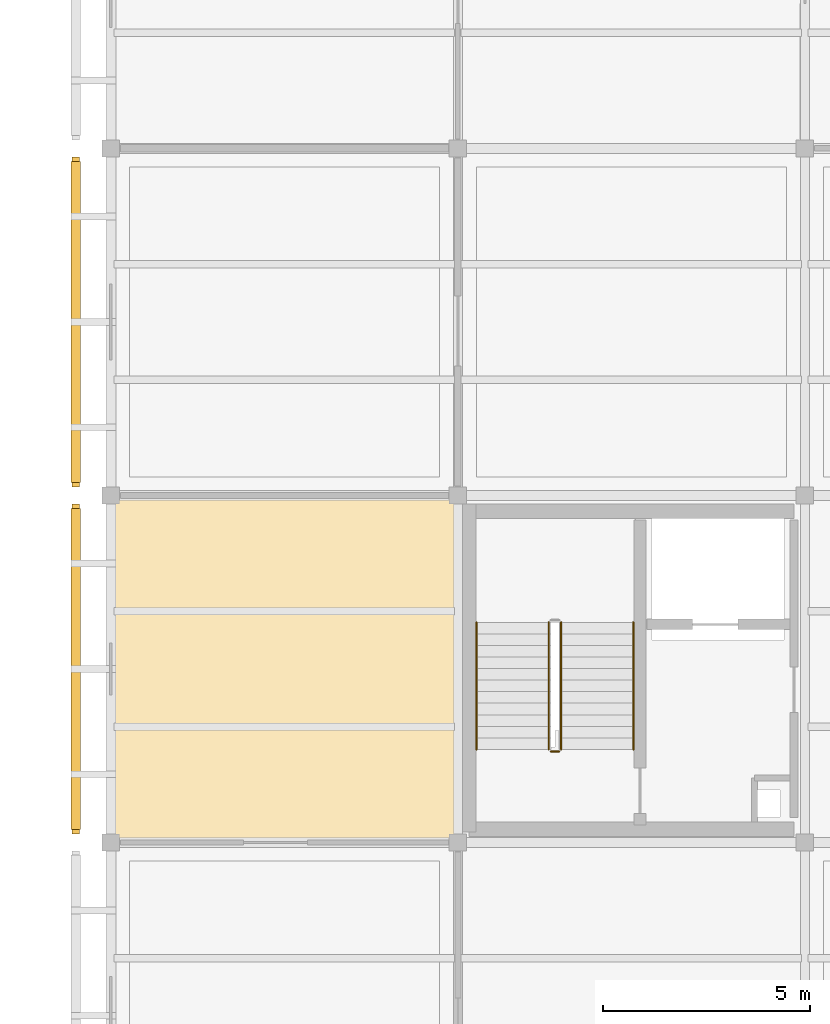
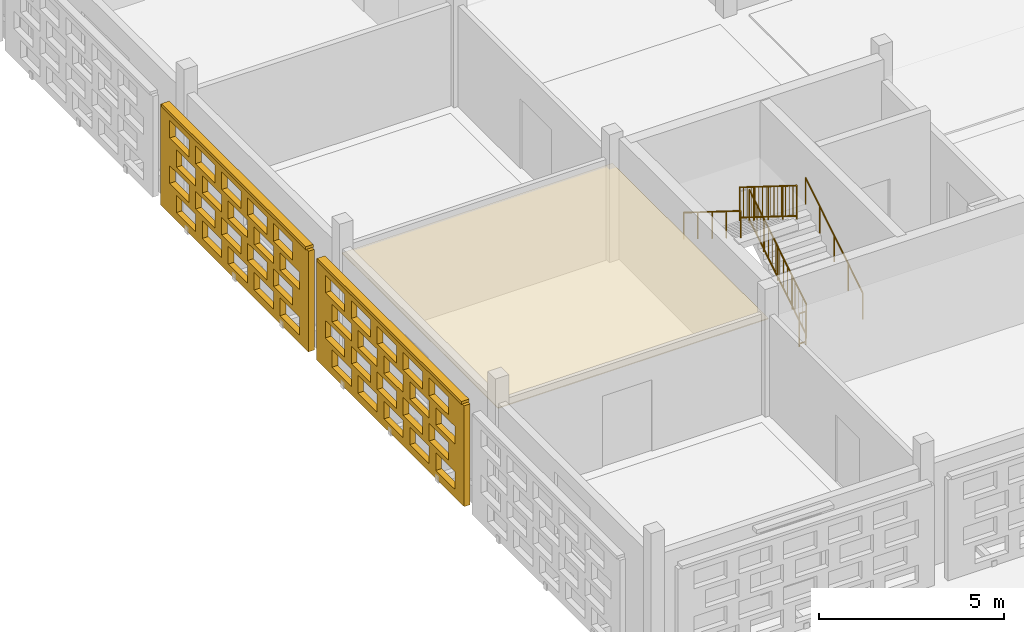
# One storey, part 87 of 103: 5 railings, 3 coverings, 2 shading devices, 40 openings.
"""IFC4 building model written with IfcOpenShell, lengths in metres."""

from ifc_helpers import new_model, si_unit, direction, frame, frame_2d, origin, origin_2d, place, context, subcontext, project, spatial, rectangle, circle, extrude, material, layer, layer_set, type_object, element, save


model = new_model("IFC4")

# Units and contexts
model_context = context("Model", 3, precision=1e-05, world=origin(), true_north=direction((0.0, 1.0)))
body_context = subcontext(model_context, "Body", "Model", "MODEL_VIEW")
ifc_project = project(units=[si_unit("LENGTHUNIT", "METRE"), si_unit("AREAUNIT", "SQUARE_METRE"), si_unit("VOLUMEUNIT", "CUBIC_METRE"), si_unit("PLANEANGLEUNIT", "RADIAN"), si_unit("MASSUNIT", "GRAM", prefix="KILO")], contexts=[model_context])

# Site, building, storey
site_placement = place(None, origin())
site = spatial("IfcSite", under=ifc_project, at=site_placement, CompositionType="ELEMENT")
building_placement = place(site_placement, origin())
building = spatial("IfcBuilding", under=site, at=building_placement, Name="Varnapada Polytechnic", CompositionType="ELEMENT")
storey_placement = place(building_placement, frame((0.0, 0.0, 18.0)))
storey = spatial("IfcBuildingStorey", under=building, at=storey_placement, Name="L04", CompositionType="ELEMENT", Elevation=18.0)

# Railings
ifc_material_1 = material(Name="Brushed Stainless Steel 316", Category="steel")
railing_type_1 = type_object("IfcRailingType", Name="Stair Wall Handrail SHR-01", PredefinedType="HANDRAIL", material=ifc_material_1)
railing_1_placement = place(storey_placement, frame((12.64990234375, 61.050048828125, 0.175048828125)))
element("IfcRailing", 1, at=railing_1_placement, inside=storey, type_object=railing_type_1, Name="L04 ST-2 stair handrail 1", PredefinedType="HANDRAIL", context=body_context, shape_type="SweptSolid", body=[
    extrude(circle(Radius=0.02392578125, at=origin_2d()), frame((0.0, 0.0, 0.8759765625), z_axis=(0.0, 0.847979421464, 0.530029150871), x_axis=(-1.0, 0.0, 0.0)), (0.0, 0.0, 1.0), 3.632080078125),
    extrude(circle(Radius=0.02099609375, at=origin_2d()), origin(), (0.0, 0.0, 1.0), 0.851806640625),
    extrude(circle(Radius=0.02099609375, at=origin_2d()), frame((0.0, 0.77001953125, 0.481201171875)), (0.0, 0.0, 1.0), 0.851806640625),
    extrude(circle(Radius=0.02099609375, at=origin_2d()), frame((0.0, 1.5400390625, 0.96240234375)), (0.0, 0.0, 1.0), 0.851806640625),
    extrude(circle(Radius=0.02099609375, at=origin_2d()), frame((0.0, 2.309814453125, 1.44384765625)), (0.0, 0.0, 1.0), 0.851806640625),
    extrude(circle(Radius=0.02099609375, at=origin_2d()), frame((0.0, 3.079833984375, 1.925048828125)), (0.0, 0.0, 1.0), 0.851806640625),
])
railing_2_placement = place(storey_placement, frame((8.85009765625, 64.1298828125, 2.27490234375)))
element("IfcRailing", 2, at=railing_2_placement, inside=storey, type_object=railing_type_1, Name="L04 ST-2 stair handrail 2", PredefinedType="HANDRAIL", context=body_context, shape_type="SweptSolid", body=[
    extrude(circle(Radius=0.02392578125, at=origin_2d()), frame((0.0, 0.0, 0.8759765625), z_axis=(0.0, -0.847979421464, 0.530029150871), x_axis=(1.0, 0.0, 0.0)), (0.0, 0.0, 1.0), 3.632080078125),
    extrude(circle(Radius=0.02099609375, at=origin_2d()), origin(), (0.0, 0.0, 1.0), 0.851806640625),
    extrude(circle(Radius=0.02099609375, at=origin_2d()), frame((0.0, -0.77001953125, 0.481201171875)), (0.0, 0.0, 1.0), 0.851806640625),
    extrude(circle(Radius=0.02099609375, at=origin_2d()), frame((0.0, -1.5400390625, 0.96240234375)), (0.0, 0.0, 1.0), 0.851806640625),
    extrude(circle(Radius=0.02099609375, at=origin_2d()), frame((0.0, -2.309814453125, 1.44384765625)), (0.0, 0.0, 1.0), 0.851806640625),
    extrude(circle(Radius=0.02099609375, at=origin_2d()), frame((0.0, -3.079833984375, 1.925048828125)), (0.0, 0.0, 1.0), 0.851806640625),
])
railing_type_2 = type_object("IfcRailingType", Name="Stair Well Guard Rail SGR-01", PredefinedType="BALUSTRADE", material=ifc_material_1)
railing_3_placement = place(storey_placement, frame((10.89990234375, 61.050048828125, 0.175048828125)))
element("IfcRailing", 3, at=railing_3_placement, inside=storey, type_object=railing_type_2, Name="L04 ST-2 stair guard 1", PredefinedType="BALUSTRADE", context=body_context, shape_type="SweptSolid", body=[
    extrude(circle(Radius=0.02392578125, at=origin_2d()), frame((0.0, 0.0, 1.09619140625), z_axis=(0.0, 0.847979421464, 0.530029150871), x_axis=(-1.0, 0.0, 0.0)), (0.0, 0.0, 1.0), 3.632080078125),
    extrude(circle(Radius=0.02392578125, at=origin_2d()), frame((0.0, 0.0, 0.10009765625), z_axis=(0.0, 0.847979421464, 0.530029150871), x_axis=(-1.0, 0.0, 0.0)), (0.0, 0.0, 1.0), 3.632080078125),
    extrude(circle(Radius=0.02099609375, at=origin_2d()), origin(), (0.0, 0.0, 1.0), 1.072021484375),
    extrude(circle(Radius=0.02099609375, at=origin_2d()), frame((0.0, 0.77001953125, 0.481201171875)), (0.0, 0.0, 1.0), 1.072021484375),
    extrude(circle(Radius=0.02099609375, at=origin_2d()), frame((0.0, 1.5400390625, 0.96240234375)), (0.0, 0.0, 1.0), 1.072021484375),
    extrude(circle(Radius=0.02099609375, at=origin_2d()), frame((0.0, 2.309814453125, 1.44384765625)), (0.0, 0.0, 1.0), 1.072021484375),
    extrude(circle(Radius=0.02099609375, at=origin_2d()), frame((0.0, 3.079833984375, 1.925048828125)), (0.0, 0.0, 1.0), 1.072021484375),
    extrude(circle(Radius=0.010009765625, at=origin_2d()), frame((0.0, 0.205322265625, 0.228515625)), (0.0, 0.0, 1.0), 0.971923828125),
    extrude(circle(Radius=0.010009765625, at=origin_2d()), frame((0.0, 0.41064453125, 0.356689453125)), (0.0, 0.0, 1.0), 0.971923828125),
    extrude(circle(Radius=0.010009765625, at=origin_2d()), frame((0.0, 0.615966796875, 0.485107421875)), (0.0, 0.0, 1.0), 0.971923828125),
    extrude(circle(Radius=0.010009765625, at=origin_2d()), frame((0.0, 0.8212890625, 0.613525390625)), (0.0, 0.0, 1.0), 0.971923828125),
    extrude(circle(Radius=0.010009765625, at=origin_2d()), frame((0.0, 1.026611328125, 0.74169921875)), (0.0, 0.0, 1.0), 0.971923828125),
    extrude(circle(Radius=0.010009765625, at=origin_2d()), frame((0.0, 1.23193359375, 0.8701171875)), (0.0, 0.0, 1.0), 0.971923828125),
    extrude(circle(Radius=0.010009765625, at=origin_2d()), frame((0.0, 1.437255859375, 0.99853515625)), (0.0, 0.0, 1.0), 0.971923828125),
    extrude(circle(Radius=0.010009765625, at=origin_2d()), frame((0.0, 1.642578125, 1.126708984375)), (0.0, 0.0, 1.0), 0.971923828125),
    extrude(circle(Radius=0.010009765625, at=origin_2d()), frame((0.0, 1.847900390625, 1.255126953125)), (0.0, 0.0, 1.0), 0.971923828125),
    extrude(circle(Radius=0.010009765625, at=origin_2d()), frame((0.0, 2.05322265625, 1.383544921875)), (0.0, 0.0, 1.0), 0.971923828125),
    extrude(circle(Radius=0.010009765625, at=origin_2d()), frame((0.0, 2.258544921875, 1.51171875)), (0.0, 0.0, 1.0), 0.971923828125),
    extrude(circle(Radius=0.010009765625, at=origin_2d()), frame((0.0, 2.4638671875, 1.64013671875)), (0.0, 0.0, 1.0), 0.971923828125),
    extrude(circle(Radius=0.010009765625, at=origin_2d()), frame((0.0, 2.669189453125, 1.7685546875)), (0.0, 0.0, 1.0), 0.971923828125),
    extrude(circle(Radius=0.010009765625, at=origin_2d()), frame((0.0, 2.87451171875, 1.896728515625)), (0.0, 0.0, 1.0), 0.971923828125),
])
railing_4_placement = place(storey_placement, frame((10.60009765625, 64.1298828125, 2.27490234375)))
element("IfcRailing", 4, at=railing_4_placement, inside=storey, type_object=railing_type_2, Name="L04 ST-2 stair guard 3", PredefinedType="BALUSTRADE", context=body_context, shape_type="SweptSolid", body=[
    extrude(circle(Radius=0.02392578125, at=origin_2d()), frame((0.0, 0.0, 1.09619140625), z_axis=(0.0, -0.847979421464, 0.530029150871), x_axis=(1.0, 0.0, 0.0)), (0.0, 0.0, 1.0), 3.632080078125),
    extrude(circle(Radius=0.02392578125, at=origin_2d()), frame((0.0, 0.0, 0.10009765625), z_axis=(0.0, -0.847979421464, 0.530029150871), x_axis=(1.0, 0.0, 0.0)), (0.0, 0.0, 1.0), 3.632080078125),
    extrude(circle(Radius=0.02099609375, at=origin_2d()), origin(), (0.0, 0.0, 1.0), 1.072021484375),
    extrude(circle(Radius=0.02099609375, at=origin_2d()), frame((0.0, -0.77001953125, 0.481201171875)), (0.0, 0.0, 1.0), 1.072021484375),
    extrude(circle(Radius=0.02099609375, at=origin_2d()), frame((0.0, -1.5400390625, 0.96240234375)), (0.0, 0.0, 1.0), 1.072021484375),
    extrude(circle(Radius=0.02099609375, at=origin_2d()), frame((0.0, -2.309814453125, 1.44384765625)), (0.0, 0.0, 1.0), 1.072021484375),
    extrude(circle(Radius=0.02099609375, at=origin_2d()), frame((0.0, -3.079833984375, 1.925048828125)), (0.0, 0.0, 1.0), 1.072021484375),
    extrude(circle(Radius=0.010009765625, at=origin_2d()), frame((0.0, -0.205322265625, 0.228515625)), (0.0, 0.0, 1.0), 0.971923828125),
    extrude(circle(Radius=0.010009765625, at=origin_2d()), frame((0.0, -0.41064453125, 0.356689453125)), (0.0, 0.0, 1.0), 0.971923828125),
    extrude(circle(Radius=0.010009765625, at=origin_2d()), frame((0.0, -0.615966796875, 0.485107421875)), (0.0, 0.0, 1.0), 0.971923828125),
    extrude(circle(Radius=0.010009765625, at=origin_2d()), frame((0.0, -0.8212890625, 0.613525390625)), (0.0, 0.0, 1.0), 0.971923828125),
    extrude(circle(Radius=0.010009765625, at=origin_2d()), frame((0.0, -1.026611328125, 0.74169921875)), (0.0, 0.0, 1.0), 0.971923828125),
    extrude(circle(Radius=0.010009765625, at=origin_2d()), frame((0.0, -1.23193359375, 0.8701171875)), (0.0, 0.0, 1.0), 0.971923828125),
    extrude(circle(Radius=0.010009765625, at=origin_2d()), frame((0.0, -1.437255859375, 0.99853515625)), (0.0, 0.0, 1.0), 0.971923828125),
    extrude(circle(Radius=0.010009765625, at=origin_2d()), frame((0.0, -1.642578125, 1.126708984375)), (0.0, 0.0, 1.0), 0.971923828125),
    extrude(circle(Radius=0.010009765625, at=origin_2d()), frame((0.0, -1.847900390625, 1.255126953125)), (0.0, 0.0, 1.0), 0.971923828125),
    extrude(circle(Radius=0.010009765625, at=origin_2d()), frame((0.0, -2.05322265625, 1.383544921875)), (0.0, 0.0, 1.0), 0.971923828125),
    extrude(circle(Radius=0.010009765625, at=origin_2d()), frame((0.0, -2.258544921875, 1.51171875)), (0.0, 0.0, 1.0), 0.971923828125),
    extrude(circle(Radius=0.010009765625, at=origin_2d()), frame((0.0, -2.4638671875, 1.64013671875)), (0.0, 0.0, 1.0), 0.971923828125),
    extrude(circle(Radius=0.010009765625, at=origin_2d()), frame((0.0, -2.669189453125, 1.7685546875)), (0.0, 0.0, 1.0), 0.971923828125),
    extrude(circle(Radius=0.010009765625, at=origin_2d()), frame((0.0, -2.87451171875, 1.896728515625)), (0.0, 0.0, 1.0), 0.971923828125),
])
railing_5_placement = place(storey_placement, frame((10.85009765625, 61.0, 0.0)))
element("IfcRailing", 5, at=railing_5_placement, inside=storey, type_object=railing_type_2, Name="L04 ST-2 stair guard 4", PredefinedType="BALUSTRADE", context=body_context, shape_type="SweptSolid", body=[
    extrude(circle(Radius=0.02392578125, at=origin_2d()), frame((0.0, 0.0, 1.09619140625), z_axis=(-1.0, 0.0, 0.0), x_axis=(0.0, -1.0, 0.0)), (0.0, 0.0, 1.0), 0.2001953125),
    extrude(circle(Radius=0.02392578125, at=origin_2d()), frame((0.0, 0.0, 0.10009765625), z_axis=(-1.0, 0.0, 0.0), x_axis=(0.0, -1.0, 0.0)), (0.0, 0.0, 1.0), 0.2001953125),
    extrude(circle(Radius=0.02099609375, at=origin_2d()), origin(), (0.0, 0.0, 1.0), 1.072021484375),
    extrude(circle(Radius=0.02099609375, at=origin_2d()), frame((-0.2001953125, 0.0, 0.0)), (0.0, 0.0, 1.0), 1.072021484375),
])

# Covering
ifc_material_2 = material(Name="Moisture-Resistant Aluminum Baffle Ceiling", Category="aluminium")
ifc_layer_1 = layer(ifc_material_2, 0.030029296875)
ifc_layer_set_1 = layer_set([ifc_layer_1], Name="Moisture-Resistant Aluminum Baffle Ceiling")
covering_type_1 = type_object("IfcCoveringType", Name="Suspended Ceiling CLG-03", PredefinedType="CEILING", material=ifc_layer_set_1)
covering_1_placement = place(storey_placement, frame((4.199951171875, 63.0, 3.03515625), z_axis=(0.0, 0.0, 1.0), x_axis=(1.0, 0.0, 0.0)))
element("IfcCovering", 6, at=covering_1_placement, inside=storey, type_object=covering_type_1, Name="L04 suspended acoustic ceiling (1,8)", PredefinedType="CEILING", context=body_context, shape_type="SweptSolid", body=[
    extrude(rectangle(XDim=8.419921875, YDim=8.419921875, at=origin_2d()), origin(), (0.0, 0.0, 1.0), 0.030029296875),
])

# Covering, openings
ifc_material_3 = material(Name="Earth-toned architectural terracotta screen block", Category="masonry")
ifc_layer_2 = layer(ifc_material_3, 0.1201171875)
ifc_layer_set_2 = layer_set([ifc_layer_2], Name="Earth-toned architectural terracotta screen block")
covering_type_2 = type_object("IfcCoveringType", Name="Terracotta Screen Cladding CLD-01", PredefinedType="CLADDING", material=ifc_layer_set_2)
covering_2_placement = place(storey_placement, frame((-0.85009765625, 59.010009765625, 0.0), z_axis=(0.0, 0.0, 1.0), x_axis=(0.0, 1.0, 0.0)))
covering_2 = element("IfcCovering", 7, at=covering_2_placement, inside=storey, type_object=covering_type_2, Name="L04 perforated terracotta block screen (3)", PredefinedType="CLADDING", context=body_context, shape_type="SweptSolid", body=[
    extrude(rectangle(XDim=7.97998046875, YDim=0.179931640625, at=frame_2d((3.989990234375, 0.0))), origin(), (0.0, 0.0, 1.0), 3.320068359375),
])
opening_1_placement = place(covering_2_placement, frame((0.489990234375, 0.0, 0.265625)))
element("IfcOpeningElement", 8, at=opening_1_placement, cuts=covering_2, Name="Screen perforation TBS-L04-002.1", PredefinedType="OPENING", context=body_context, shape_type="SweptSolid", body=[
    extrude(rectangle(XDim=1.0400390625, YDim=0.5810546875, at=frame_2d((0.52001953125, 0.29052734375))), frame((0.0, 0.099853515625, 0.0), z_axis=(0.0, -1.0, 0.0), x_axis=(1.0, 0.0, 0.0)), (0.0, 0.0, 1.0), 0.199951171875),
])
opening_2_placement = place(covering_2_placement, frame((1.889892578125, 0.0, 0.265625)))
element("IfcOpeningElement", 9, at=opening_2_placement, cuts=covering_2, Name="Screen perforation TBS-L04-002.2", PredefinedType="OPENING", context=body_context, shape_type="SweptSolid", body=[
    extrude(rectangle(XDim=1.0400390625, YDim=0.5810546875, at=frame_2d((0.52001953125, 0.29052734375))), frame((0.0, 0.099853515625, 0.0), z_axis=(0.0, -1.0, 0.0), x_axis=(1.0, 0.0, 0.0)), (0.0, 0.0, 1.0), 0.199951171875),
])
opening_3_placement = place(covering_2_placement, frame((3.2900390625, 0.0, 0.265625)))
element("IfcOpeningElement", 10, at=opening_3_placement, cuts=covering_2, Name="Screen perforation TBS-L04-002.3", PredefinedType="OPENING", context=body_context, shape_type="SweptSolid", body=[
    extrude(rectangle(XDim=1.0400390625, YDim=0.5810546875, at=frame_2d((0.52001953125, 0.29052734375))), frame((0.0, 0.099853515625, 0.0), z_axis=(0.0, -1.0, 0.0), x_axis=(1.0, 0.0, 0.0)), (0.0, 0.0, 1.0), 0.199951171875),
])
opening_4_placement = place(covering_2_placement, frame((4.68994140625, 0.0, 0.265625)))
element("IfcOpeningElement", 11, at=opening_4_placement, cuts=covering_2, Name="Screen perforation TBS-L04-002.4", PredefinedType="OPENING", context=body_context, shape_type="SweptSolid", body=[
    extrude(rectangle(XDim=1.0400390625, YDim=0.5810546875, at=frame_2d((0.52001953125, 0.29052734375))), frame((0.0, 0.099853515625, 0.0), z_axis=(0.0, -1.0, 0.0), x_axis=(1.0, 0.0, 0.0)), (0.0, 0.0, 1.0), 0.199951171875),
])
opening_5_placement = place(covering_2_placement, frame((6.090087890625, 0.0, 0.265625)))
element("IfcOpeningElement", 12, at=opening_5_placement, cuts=covering_2, Name="Screen perforation TBS-L04-002.5", PredefinedType="OPENING", context=body_context, shape_type="SweptSolid", body=[
    extrude(rectangle(XDim=1.0400390625, YDim=0.5810546875, at=frame_2d((0.52001953125, 0.29052734375))), frame((0.0, 0.099853515625, 0.0), z_axis=(0.0, -1.0, 0.0), x_axis=(1.0, 0.0, 0.0)), (0.0, 0.0, 1.0), 0.199951171875),
])
opening_6_placement = place(covering_2_placement, frame((0.85009765625, 0.0, 1.0126953125)))
element("IfcOpeningElement", 13, at=opening_6_placement, cuts=covering_2, Name="Screen perforation TBS-L04-002.6", PredefinedType="OPENING", context=body_context, shape_type="SweptSolid", body=[
    extrude(rectangle(XDim=1.0400390625, YDim=0.5810546875, at=frame_2d((0.52001953125, 0.29052734375))), frame((0.0, 0.099853515625, 0.0), z_axis=(0.0, -1.0, 0.0), x_axis=(1.0, 0.0, 0.0)), (0.0, 0.0, 1.0), 0.199951171875),
])
opening_7_placement = place(covering_2_placement, frame((2.25, 0.0, 1.0126953125)))
element("IfcOpeningElement", 14, at=opening_7_placement, cuts=covering_2, Name="Screen perforation TBS-L04-002.7", PredefinedType="OPENING", context=body_context, shape_type="SweptSolid", body=[
    extrude(rectangle(XDim=1.0400390625, YDim=0.5810546875, at=frame_2d((0.52001953125, 0.29052734375))), frame((0.0, 0.099853515625, 0.0), z_axis=(0.0, -1.0, 0.0), x_axis=(1.0, 0.0, 0.0)), (0.0, 0.0, 1.0), 0.199951171875),
])
opening_8_placement = place(covering_2_placement, frame((3.64990234375, 0.0, 1.0126953125)))
element("IfcOpeningElement", 15, at=opening_8_placement, cuts=covering_2, Name="Screen perforation TBS-L04-002.8", PredefinedType="OPENING", context=body_context, shape_type="SweptSolid", body=[
    extrude(rectangle(XDim=1.0400390625, YDim=0.5810546875, at=frame_2d((0.52001953125, 0.29052734375))), frame((0.0, 0.099853515625, 0.0), z_axis=(0.0, -1.0, 0.0), x_axis=(1.0, 0.0, 0.0)), (0.0, 0.0, 1.0), 0.199951171875),
])
opening_9_placement = place(covering_2_placement, frame((5.050048828125, 0.0, 1.0126953125)))
element("IfcOpeningElement", 16, at=opening_9_placement, cuts=covering_2, Name="Screen perforation TBS-L04-002.9", PredefinedType="OPENING", context=body_context, shape_type="SweptSolid", body=[
    extrude(rectangle(XDim=1.0400390625, YDim=0.5810546875, at=frame_2d((0.52001953125, 0.29052734375))), frame((0.0, 0.099853515625, 0.0), z_axis=(0.0, -1.0, 0.0), x_axis=(1.0, 0.0, 0.0)), (0.0, 0.0, 1.0), 0.199951171875),
])
opening_10_placement = place(covering_2_placement, frame((6.449951171875, 0.0, 1.0126953125)))
element("IfcOpeningElement", 17, at=opening_10_placement, cuts=covering_2, Name="Screen perforation TBS-L04-002.10", PredefinedType="OPENING", context=body_context, shape_type="SweptSolid", body=[
    extrude(rectangle(XDim=1.0400390625, YDim=0.5810546875, at=frame_2d((0.52001953125, 0.29052734375))), frame((0.0, 0.099853515625, 0.0), z_axis=(0.0, -1.0, 0.0), x_axis=(1.0, 0.0, 0.0)), (0.0, 0.0, 1.0), 0.199951171875),
])
opening_11_placement = place(covering_2_placement, frame((0.489990234375, 0.0, 1.759521484375)))
element("IfcOpeningElement", 18, at=opening_11_placement, cuts=covering_2, Name="Screen perforation TBS-L04-002.11", PredefinedType="OPENING", context=body_context, shape_type="SweptSolid", body=[
    extrude(rectangle(XDim=1.0400390625, YDim=0.5810546875, at=frame_2d((0.52001953125, 0.29052734375))), frame((0.0, 0.099853515625, 0.0), z_axis=(0.0, -1.0, 0.0), x_axis=(1.0, 0.0, 0.0)), (0.0, 0.0, 1.0), 0.199951171875),
])
opening_12_placement = place(covering_2_placement, frame((1.889892578125, 0.0, 1.759521484375)))
element("IfcOpeningElement", 19, at=opening_12_placement, cuts=covering_2, Name="Screen perforation TBS-L04-002.12", PredefinedType="OPENING", context=body_context, shape_type="SweptSolid", body=[
    extrude(rectangle(XDim=1.0400390625, YDim=0.5810546875, at=frame_2d((0.52001953125, 0.29052734375))), frame((0.0, 0.099853515625, 0.0), z_axis=(0.0, -1.0, 0.0), x_axis=(1.0, 0.0, 0.0)), (0.0, 0.0, 1.0), 0.199951171875),
])
opening_13_placement = place(covering_2_placement, frame((3.2900390625, 0.0, 1.759521484375)))
element("IfcOpeningElement", 20, at=opening_13_placement, cuts=covering_2, Name="Screen perforation TBS-L04-002.13", PredefinedType="OPENING", context=body_context, shape_type="SweptSolid", body=[
    extrude(rectangle(XDim=1.0400390625, YDim=0.5810546875, at=frame_2d((0.52001953125, 0.29052734375))), frame((0.0, 0.099853515625, 0.0), z_axis=(0.0, -1.0, 0.0), x_axis=(1.0, 0.0, 0.0)), (0.0, 0.0, 1.0), 0.199951171875),
])
opening_14_placement = place(covering_2_placement, frame((4.68994140625, 0.0, 1.759521484375)))
element("IfcOpeningElement", 21, at=opening_14_placement, cuts=covering_2, Name="Screen perforation TBS-L04-002.14", PredefinedType="OPENING", context=body_context, shape_type="SweptSolid", body=[
    extrude(rectangle(XDim=1.0400390625, YDim=0.5810546875, at=frame_2d((0.52001953125, 0.29052734375))), frame((0.0, 0.099853515625, 0.0), z_axis=(0.0, -1.0, 0.0), x_axis=(1.0, 0.0, 0.0)), (0.0, 0.0, 1.0), 0.199951171875),
])
opening_15_placement = place(covering_2_placement, frame((6.090087890625, 0.0, 1.759521484375)))
element("IfcOpeningElement", 22, at=opening_15_placement, cuts=covering_2, Name="Screen perforation TBS-L04-002.15", PredefinedType="OPENING", context=body_context, shape_type="SweptSolid", body=[
    extrude(rectangle(XDim=1.0400390625, YDim=0.5810546875, at=frame_2d((0.52001953125, 0.29052734375))), frame((0.0, 0.099853515625, 0.0), z_axis=(0.0, -1.0, 0.0), x_axis=(1.0, 0.0, 0.0)), (0.0, 0.0, 1.0), 0.199951171875),
])
opening_16_placement = place(covering_2_placement, frame((0.85009765625, 0.0, 2.506591796875)))
element("IfcOpeningElement", 23, at=opening_16_placement, cuts=covering_2, Name="Screen perforation TBS-L04-002.16", PredefinedType="OPENING", context=body_context, shape_type="SweptSolid", body=[
    extrude(rectangle(XDim=1.0400390625, YDim=0.5810546875, at=frame_2d((0.52001953125, 0.29052734375))), frame((0.0, 0.099853515625, 0.0), z_axis=(0.0, -1.0, 0.0), x_axis=(1.0, 0.0, 0.0)), (0.0, 0.0, 1.0), 0.199951171875),
])
opening_17_placement = place(covering_2_placement, frame((2.25, 0.0, 2.506591796875)))
element("IfcOpeningElement", 24, at=opening_17_placement, cuts=covering_2, Name="Screen perforation TBS-L04-002.17", PredefinedType="OPENING", context=body_context, shape_type="SweptSolid", body=[
    extrude(rectangle(XDim=1.0400390625, YDim=0.5810546875, at=frame_2d((0.52001953125, 0.29052734375))), frame((0.0, 0.099853515625, 0.0), z_axis=(0.0, -1.0, 0.0), x_axis=(1.0, 0.0, 0.0)), (0.0, 0.0, 1.0), 0.199951171875),
])
opening_18_placement = place(covering_2_placement, frame((3.64990234375, 0.0, 2.506591796875)))
element("IfcOpeningElement", 25, at=opening_18_placement, cuts=covering_2, Name="Screen perforation TBS-L04-002.18", PredefinedType="OPENING", context=body_context, shape_type="SweptSolid", body=[
    extrude(rectangle(XDim=1.0400390625, YDim=0.5810546875, at=frame_2d((0.52001953125, 0.29052734375))), frame((0.0, 0.099853515625, 0.0), z_axis=(0.0, -1.0, 0.0), x_axis=(1.0, 0.0, 0.0)), (0.0, 0.0, 1.0), 0.199951171875),
])
opening_19_placement = place(covering_2_placement, frame((5.050048828125, 0.0, 2.506591796875)))
element("IfcOpeningElement", 26, at=opening_19_placement, cuts=covering_2, Name="Screen perforation TBS-L04-002.19", PredefinedType="OPENING", context=body_context, shape_type="SweptSolid", body=[
    extrude(rectangle(XDim=1.0400390625, YDim=0.5810546875, at=frame_2d((0.52001953125, 0.29052734375))), frame((0.0, 0.099853515625, 0.0), z_axis=(0.0, -1.0, 0.0), x_axis=(1.0, 0.0, 0.0)), (0.0, 0.0, 1.0), 0.199951171875),
])
opening_20_placement = place(covering_2_placement, frame((6.449951171875, 0.0, 2.506591796875)))
element("IfcOpeningElement", 27, at=opening_20_placement, cuts=covering_2, Name="Screen perforation TBS-L04-002.20", PredefinedType="OPENING", context=body_context, shape_type="SweptSolid", body=[
    extrude(rectangle(XDim=1.0400390625, YDim=0.5810546875, at=frame_2d((0.52001953125, 0.29052734375))), frame((0.0, 0.099853515625, 0.0), z_axis=(0.0, -1.0, 0.0), x_axis=(1.0, 0.0, 0.0)), (0.0, 0.0, 1.0), 0.199951171875),
])

covering_3_placement = place(storey_placement, frame((-0.85009765625, 67.409912109375, 0.0), z_axis=(0.0, 0.0, 1.0), x_axis=(0.0, 1.0, 0.0)))
covering_3 = element("IfcCovering", 28, at=covering_3_placement, inside=storey, type_object=covering_type_2, Name="L04 perforated terracotta block screen (4)", PredefinedType="CLADDING", context=body_context, shape_type="SweptSolid", body=[
    extrude(rectangle(XDim=7.97998046875, YDim=0.179931640625, at=frame_2d((3.989990234375, 0.0))), origin(), (0.0, 0.0, 1.0), 3.320068359375),
])
opening_21_placement = place(covering_3_placement, frame((0.489990234375, 0.0, 0.265625)))
element("IfcOpeningElement", 29, at=opening_21_placement, cuts=covering_3, Name="Screen perforation TBS-L04-003.1", PredefinedType="OPENING", context=body_context, shape_type="SweptSolid", body=[
    extrude(rectangle(XDim=1.0400390625, YDim=0.5810546875, at=frame_2d((0.52001953125, 0.29052734375))), frame((0.0, 0.099853515625, 0.0), z_axis=(0.0, -1.0, 0.0), x_axis=(1.0, 0.0, 0.0)), (0.0, 0.0, 1.0), 0.199951171875),
])
opening_22_placement = place(covering_3_placement, frame((1.889892578125, 0.0, 0.265625)))
element("IfcOpeningElement", 30, at=opening_22_placement, cuts=covering_3, Name="Screen perforation TBS-L04-003.2", PredefinedType="OPENING", context=body_context, shape_type="SweptSolid", body=[
    extrude(rectangle(XDim=1.0400390625, YDim=0.5810546875, at=frame_2d((0.52001953125, 0.29052734375))), frame((0.0, 0.099853515625, 0.0), z_axis=(0.0, -1.0, 0.0), x_axis=(1.0, 0.0, 0.0)), (0.0, 0.0, 1.0), 0.199951171875),
])
opening_23_placement = place(covering_3_placement, frame((3.2900390625, 0.0, 0.265625)))
element("IfcOpeningElement", 31, at=opening_23_placement, cuts=covering_3, Name="Screen perforation TBS-L04-003.3", PredefinedType="OPENING", context=body_context, shape_type="SweptSolid", body=[
    extrude(rectangle(XDim=1.0400390625, YDim=0.5810546875, at=frame_2d((0.52001953125, 0.29052734375))), frame((0.0, 0.099853515625, 0.0), z_axis=(0.0, -1.0, 0.0), x_axis=(1.0, 0.0, 0.0)), (0.0, 0.0, 1.0), 0.199951171875),
])
opening_24_placement = place(covering_3_placement, frame((4.68994140625, 0.0, 0.265625)))
element("IfcOpeningElement", 32, at=opening_24_placement, cuts=covering_3, Name="Screen perforation TBS-L04-003.4", PredefinedType="OPENING", context=body_context, shape_type="SweptSolid", body=[
    extrude(rectangle(XDim=1.0400390625, YDim=0.5810546875, at=frame_2d((0.52001953125, 0.29052734375))), frame((0.0, 0.099853515625, 0.0), z_axis=(0.0, -1.0, 0.0), x_axis=(1.0, 0.0, 0.0)), (0.0, 0.0, 1.0), 0.199951171875),
])
opening_25_placement = place(covering_3_placement, frame((6.090087890625, 0.0, 0.265625)))
element("IfcOpeningElement", 33, at=opening_25_placement, cuts=covering_3, Name="Screen perforation TBS-L04-003.5", PredefinedType="OPENING", context=body_context, shape_type="SweptSolid", body=[
    extrude(rectangle(XDim=1.0400390625, YDim=0.5810546875, at=frame_2d((0.52001953125, 0.29052734375))), frame((0.0, 0.099853515625, 0.0), z_axis=(0.0, -1.0, 0.0), x_axis=(1.0, 0.0, 0.0)), (0.0, 0.0, 1.0), 0.199951171875),
])
opening_26_placement = place(covering_3_placement, frame((0.85009765625, 0.0, 1.0126953125)))
element("IfcOpeningElement", 34, at=opening_26_placement, cuts=covering_3, Name="Screen perforation TBS-L04-003.6", PredefinedType="OPENING", context=body_context, shape_type="SweptSolid", body=[
    extrude(rectangle(XDim=1.0400390625, YDim=0.5810546875, at=frame_2d((0.52001953125, 0.29052734375))), frame((0.0, 0.099853515625, 0.0), z_axis=(0.0, -1.0, 0.0), x_axis=(1.0, 0.0, 0.0)), (0.0, 0.0, 1.0), 0.199951171875),
])
opening_27_placement = place(covering_3_placement, frame((2.25, 0.0, 1.0126953125)))
element("IfcOpeningElement", 35, at=opening_27_placement, cuts=covering_3, Name="Screen perforation TBS-L04-003.7", PredefinedType="OPENING", context=body_context, shape_type="SweptSolid", body=[
    extrude(rectangle(XDim=1.0400390625, YDim=0.5810546875, at=frame_2d((0.52001953125, 0.29052734375))), frame((0.0, 0.099853515625, 0.0), z_axis=(0.0, -1.0, 0.0), x_axis=(1.0, 0.0, 0.0)), (0.0, 0.0, 1.0), 0.199951171875),
])
opening_28_placement = place(covering_3_placement, frame((3.64990234375, 0.0, 1.0126953125)))
element("IfcOpeningElement", 36, at=opening_28_placement, cuts=covering_3, Name="Screen perforation TBS-L04-003.8", PredefinedType="OPENING", context=body_context, shape_type="SweptSolid", body=[
    extrude(rectangle(XDim=1.0400390625, YDim=0.5810546875, at=frame_2d((0.52001953125, 0.29052734375))), frame((0.0, 0.099853515625, 0.0), z_axis=(0.0, -1.0, 0.0), x_axis=(1.0, 0.0, 0.0)), (0.0, 0.0, 1.0), 0.199951171875),
])
opening_29_placement = place(covering_3_placement, frame((5.050048828125, 0.0, 1.0126953125)))
element("IfcOpeningElement", 37, at=opening_29_placement, cuts=covering_3, Name="Screen perforation TBS-L04-003.9", PredefinedType="OPENING", context=body_context, shape_type="SweptSolid", body=[
    extrude(rectangle(XDim=1.0400390625, YDim=0.5810546875, at=frame_2d((0.52001953125, 0.29052734375))), frame((0.0, 0.099853515625, 0.0), z_axis=(0.0, -1.0, 0.0), x_axis=(1.0, 0.0, 0.0)), (0.0, 0.0, 1.0), 0.199951171875),
])
opening_30_placement = place(covering_3_placement, frame((6.449951171875, 0.0, 1.0126953125)))
element("IfcOpeningElement", 38, at=opening_30_placement, cuts=covering_3, Name="Screen perforation TBS-L04-003.10", PredefinedType="OPENING", context=body_context, shape_type="SweptSolid", body=[
    extrude(rectangle(XDim=1.0400390625, YDim=0.5810546875, at=frame_2d((0.52001953125, 0.29052734375))), frame((0.0, 0.099853515625, 0.0), z_axis=(0.0, -1.0, 0.0), x_axis=(1.0, 0.0, 0.0)), (0.0, 0.0, 1.0), 0.199951171875),
])
opening_31_placement = place(covering_3_placement, frame((0.489990234375, 0.0, 1.759521484375)))
element("IfcOpeningElement", 39, at=opening_31_placement, cuts=covering_3, Name="Screen perforation TBS-L04-003.11", PredefinedType="OPENING", context=body_context, shape_type="SweptSolid", body=[
    extrude(rectangle(XDim=1.0400390625, YDim=0.5810546875, at=frame_2d((0.52001953125, 0.29052734375))), frame((0.0, 0.099853515625, 0.0), z_axis=(0.0, -1.0, 0.0), x_axis=(1.0, 0.0, 0.0)), (0.0, 0.0, 1.0), 0.199951171875),
])
opening_32_placement = place(covering_3_placement, frame((1.889892578125, 0.0, 1.759521484375)))
element("IfcOpeningElement", 40, at=opening_32_placement, cuts=covering_3, Name="Screen perforation TBS-L04-003.12", PredefinedType="OPENING", context=body_context, shape_type="SweptSolid", body=[
    extrude(rectangle(XDim=1.0400390625, YDim=0.5810546875, at=frame_2d((0.52001953125, 0.29052734375))), frame((0.0, 0.099853515625, 0.0), z_axis=(0.0, -1.0, 0.0), x_axis=(1.0, 0.0, 0.0)), (0.0, 0.0, 1.0), 0.199951171875),
])
opening_33_placement = place(covering_3_placement, frame((3.2900390625, 0.0, 1.759521484375)))
element("IfcOpeningElement", 41, at=opening_33_placement, cuts=covering_3, Name="Screen perforation TBS-L04-003.13", PredefinedType="OPENING", context=body_context, shape_type="SweptSolid", body=[
    extrude(rectangle(XDim=1.0400390625, YDim=0.5810546875, at=frame_2d((0.52001953125, 0.29052734375))), frame((0.0, 0.099853515625, 0.0), z_axis=(0.0, -1.0, 0.0), x_axis=(1.0, 0.0, 0.0)), (0.0, 0.0, 1.0), 0.199951171875),
])
opening_34_placement = place(covering_3_placement, frame((4.68994140625, 0.0, 1.759521484375)))
element("IfcOpeningElement", 42, at=opening_34_placement, cuts=covering_3, Name="Screen perforation TBS-L04-003.14", PredefinedType="OPENING", context=body_context, shape_type="SweptSolid", body=[
    extrude(rectangle(XDim=1.0400390625, YDim=0.5810546875, at=frame_2d((0.52001953125, 0.29052734375))), frame((0.0, 0.099853515625, 0.0), z_axis=(0.0, -1.0, 0.0), x_axis=(1.0, 0.0, 0.0)), (0.0, 0.0, 1.0), 0.199951171875),
])
opening_35_placement = place(covering_3_placement, frame((6.090087890625, 0.0, 1.759521484375)))
element("IfcOpeningElement", 43, at=opening_35_placement, cuts=covering_3, Name="Screen perforation TBS-L04-003.15", PredefinedType="OPENING", context=body_context, shape_type="SweptSolid", body=[
    extrude(rectangle(XDim=1.0400390625, YDim=0.5810546875, at=frame_2d((0.52001953125, 0.29052734375))), frame((0.0, 0.099853515625, 0.0), z_axis=(0.0, -1.0, 0.0), x_axis=(1.0, 0.0, 0.0)), (0.0, 0.0, 1.0), 0.199951171875),
])
opening_36_placement = place(covering_3_placement, frame((0.85009765625, 0.0, 2.506591796875)))
element("IfcOpeningElement", 44, at=opening_36_placement, cuts=covering_3, Name="Screen perforation TBS-L04-003.16", PredefinedType="OPENING", context=body_context, shape_type="SweptSolid", body=[
    extrude(rectangle(XDim=1.0400390625, YDim=0.5810546875, at=frame_2d((0.52001953125, 0.29052734375))), frame((0.0, 0.099853515625, 0.0), z_axis=(0.0, -1.0, 0.0), x_axis=(1.0, 0.0, 0.0)), (0.0, 0.0, 1.0), 0.199951171875),
])
opening_37_placement = place(covering_3_placement, frame((2.25, 0.0, 2.506591796875)))
element("IfcOpeningElement", 45, at=opening_37_placement, cuts=covering_3, Name="Screen perforation TBS-L04-003.17", PredefinedType="OPENING", context=body_context, shape_type="SweptSolid", body=[
    extrude(rectangle(XDim=1.0400390625, YDim=0.5810546875, at=frame_2d((0.52001953125, 0.29052734375))), frame((0.0, 0.099853515625, 0.0), z_axis=(0.0, -1.0, 0.0), x_axis=(1.0, 0.0, 0.0)), (0.0, 0.0, 1.0), 0.199951171875),
])
opening_38_placement = place(covering_3_placement, frame((3.64990234375, 0.0, 2.506591796875)))
element("IfcOpeningElement", 46, at=opening_38_placement, cuts=covering_3, Name="Screen perforation TBS-L04-003.18", PredefinedType="OPENING", context=body_context, shape_type="SweptSolid", body=[
    extrude(rectangle(XDim=1.0400390625, YDim=0.5810546875, at=frame_2d((0.52001953125, 0.29052734375))), frame((0.0, 0.099853515625, 0.0), z_axis=(0.0, -1.0, 0.0), x_axis=(1.0, 0.0, 0.0)), (0.0, 0.0, 1.0), 0.199951171875),
])
opening_39_placement = place(covering_3_placement, frame((5.050048828125, 0.0, 2.506591796875)))
element("IfcOpeningElement", 47, at=opening_39_placement, cuts=covering_3, Name="Screen perforation TBS-L04-003.19", PredefinedType="OPENING", context=body_context, shape_type="SweptSolid", body=[
    extrude(rectangle(XDim=1.0400390625, YDim=0.5810546875, at=frame_2d((0.52001953125, 0.29052734375))), frame((0.0, 0.099853515625, 0.0), z_axis=(0.0, -1.0, 0.0), x_axis=(1.0, 0.0, 0.0)), (0.0, 0.0, 1.0), 0.199951171875),
])
opening_40_placement = place(covering_3_placement, frame((6.449951171875, 0.0, 2.506591796875)))
element("IfcOpeningElement", 48, at=opening_40_placement, cuts=covering_3, Name="Screen perforation TBS-L04-003.20", PredefinedType="OPENING", context=body_context, shape_type="SweptSolid", body=[
    extrude(rectangle(XDim=1.0400390625, YDim=0.5810546875, at=frame_2d((0.52001953125, 0.29052734375))), frame((0.0, 0.099853515625, 0.0), z_axis=(0.0, -1.0, 0.0), x_axis=(1.0, 0.0, 0.0)), (0.0, 0.0, 1.0), 0.199951171875),
])

# Shading devices
ifc_layer_3 = layer(ifc_material_3, 0.179931640625)
ifc_layer_set_3 = layer_set([ifc_layer_3], Name="Earth-toned architectural terracotta screen block")
shading_device_type = type_object("IfcShadingDeviceType", Name="Terracotta Screen SCR-01", PredefinedType="USERDEFINED", material=ifc_layer_set_3)
for number, where, z_axis, x_axis, name in (
    (49, (-0.85009765625, 63.0, 3.31005859375), (0.0, 0.0, 1.0), (0.0, 1.0, 0.0), "L04 perforated terracotta screen hood 425"),
    (50, (-0.85009765625, 71.39990234375, 3.31005859375), (0.0, 0.0, 1.0), (0.0, 1.0, 0.0), "L04 perforated terracotta screen hood 426"),
):
    element("IfcShadingDevice", number, at=place(storey_placement, frame(where, z_axis=z_axis, x_axis=x_axis)), inside=storey, type_object=shading_device_type, Name=name, ObjectType="SCREEN", PredefinedType="USERDEFINED", context=body_context, shape_type="SweptSolid", body=[
        extrude(rectangle(XDim=7.780029296875, YDim=0.239990234375, at=origin_2d()), origin(), (0.0, 0.0, 1.0), 0.10009765625),
    ])

save(model, "model.ifc")
